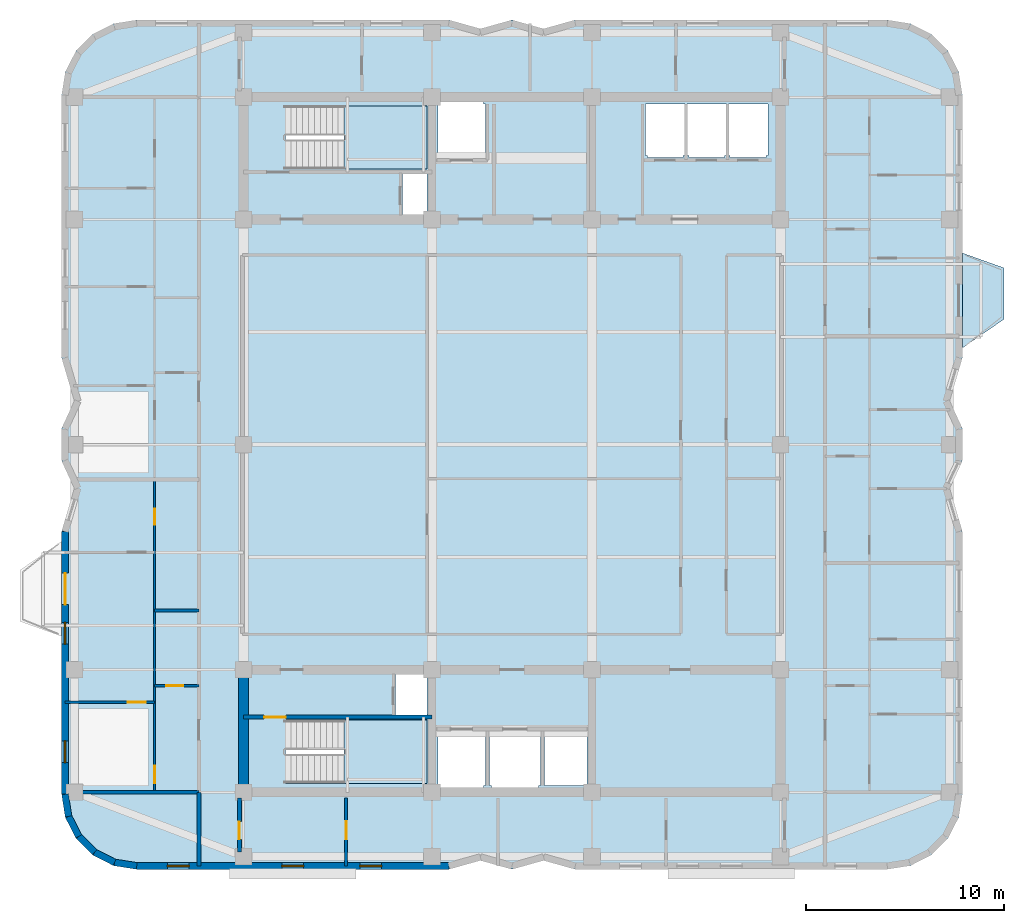
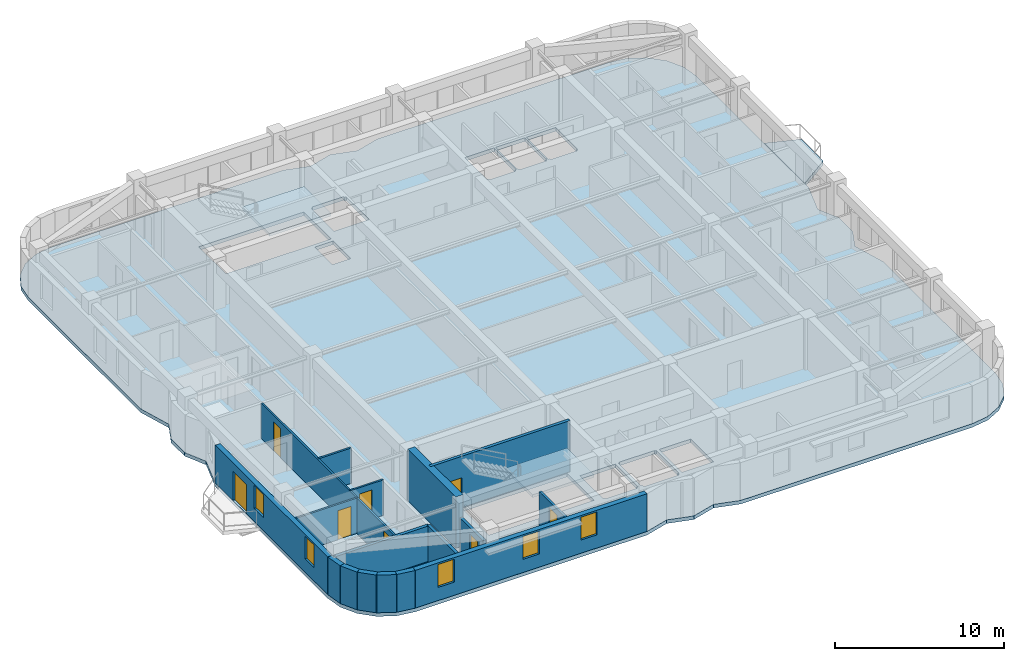
# One storey, part 2 of 9: 17 walls, 8 doors, 5 windows, 4 slabs, 13 openings, 2 elements without a shape of their own.
"""IFC4 building model written with IfcOpenShell, lengths in metres."""

import ifcopenshell
import ifcopenshell.guid

model = None  # the IFC model being written
_history = None  # IfcOwnerHistory: only IFC2X3 demands one
_inside = {}  # id of a spatial element -> (the spatial element, [elements in it])
_under = {}  # id of a project, library or spatial element -> (it, [spatial elements below it])
_declared = {}  # id of a project -> (the project, [libraries it declares])
_typed = {}  # id of a type object -> (the type object, [elements of that type])
_made_of = {}  # id of a material, layer set ... -> (it, [elements and type objects made of it])


def new_model(schema):
    """Start an empty IFC model of exactly this schema.

    Asked for "IFC4X3", IfcOpenShell would pick the latest addendum, in which some entities
    have other attributes; the version numbers below select the first issue.
    IFC2X3 requires an IfcOwnerHistory on every rooted entity: one is made here for all.
    """
    global model, _history
    if schema == "IFC4X3":
        model = ifcopenshell.file(schema_version=(4, 3, 0, 0))
    else:
        model = ifcopenshell.file(schema=schema)
    _inside.clear()
    _under.clear()
    _declared.clear()
    _typed.clear()
    _made_of.clear()
    _history = None
    if model.schema == "IFC2X3":
        org = make("IfcOrganization", Name="unknown")
        user = make(
            "IfcPersonAndOrganization",
            ThePerson=make("IfcPerson", FamilyName="unknown"),
            TheOrganization=org,
        )
        app = make(
            "IfcApplication",
            ApplicationDeveloper=org,
            Version="unknown",
            ApplicationFullName="unknown",
            ApplicationIdentifier="unknown",
        )
        _history = make(
            "IfcOwnerHistory",
            OwningUser=user,
            OwningApplication=app,
            ChangeAction="ADDED",
            CreationDate=0,
        )
    return model


def make(cls, **values):
    """One entity of the class cls with the attributes given. An attribute that is None is left unset."""
    return model.create_entity(
        cls, **{name: value for name, value in values.items() if value is not None}
    )


def rooted(cls, **values):
    """An entity with a GlobalId (a new one), such as an element, a storey or a relation."""
    return make(cls, GlobalId=ifcopenshell.guid.new(), OwnerHistory=_history, **values)


def si_unit(unit_type, name, prefix=None):
    """IfcSIUnit, for example si_unit("LENGTHUNIT", "METRE", prefix="MILLI")."""
    return make("IfcSIUnit", UnitType=unit_type, Prefix=prefix, Name=name)


def assignment(units):
    """IfcUnitAssignment: the units of a project."""
    return None if units is None else make("IfcUnitAssignment", Units=units)


def point(xyz):
    """IfcCartesianPoint."""
    return None if xyz is None else make("IfcCartesianPoint", Coordinates=xyz)


def direction(xyz):
    """IfcDirection."""
    return None if xyz is None else make("IfcDirection", DirectionRatios=xyz)


def frame(location, z_axis=None, x_axis=None):
    """IfcAxis2Placement3D, a coordinate frame: its origin and axes. An axis left out is left unset."""
    return make(
        "IfcAxis2Placement3D",
        Location=point(location),
        Axis=direction(z_axis),
        RefDirection=direction(x_axis),
    )


def frame_2d(location, x_axis=None):
    """IfcAxis2Placement2D, a coordinate frame in the plane: its origin and x axis."""
    return make(
        "IfcAxis2Placement2D", Location=point(location), RefDirection=direction(x_axis)
    )


def origin():
    """The frame at (0, 0, 0) with its axes left unset."""
    return frame((0.0, 0.0, 0.0))


def place(relative_to, where):
    """IfcLocalPlacement: puts the frame where relative to a parent placement (None: the world)."""
    return make(
        "IfcLocalPlacement", PlacementRelTo=relative_to, RelativePlacement=where
    )


def context(
    kind, dimensions, precision=None, world=None, true_north=None, identifier=None
):
    """IfcGeometricRepresentationContext, for example the 3D "Model" context."""
    return make(
        "IfcGeometricRepresentationContext",
        ContextIdentifier=identifier,
        ContextType=kind,
        CoordinateSpaceDimension=dimensions,
        Precision=precision,
        WorldCoordinateSystem=world,
        TrueNorth=true_north,
    )


def subcontext(parent, identifier, kind, view, scale=None):
    """IfcGeometricRepresentationSubContext, for example "Body" below "Model"."""
    return make(
        "IfcGeometricRepresentationSubContext",
        ContextIdentifier=identifier,
        ContextType=kind,
        ParentContext=parent,
        TargetScale=scale,
        TargetView=view,
    )


def project(units=None, contexts=None):
    """IfcProject with its units and contexts."""
    return rooted(
        "IfcProject",
        Name="project",
        RepresentationContexts=contexts,
        UnitsInContext=assignment(units),
    )


def spatial(cls, under=None, at=None, **own):
    """A site, building, storey or space (cls), placed at a placement, below another one or the project."""
    s = rooted(cls, ObjectPlacement=at, **own)
    if under is not None:
        _under.setdefault(under.id(), (under, []))[1].append(s)
    return s


def polyline(points):
    """IfcPolyline through the points."""
    return make("IfcPolyline", Points=[point(p) for p in points])


def profile(cls, at=None, kind="AREA", **sizes):
    """A parametric profile (cls). Its sizes go by their IFC names, for example OverallWidth=200.0."""
    return make(cls, ProfileType=kind, Position=at, **sizes)


def rectangle(**sizes):
    """IfcRectangleProfileDef."""
    return profile("IfcRectangleProfileDef", **sizes)


def outline(outer, holes=None, kind="AREA"):
    """IfcArbitraryClosedProfileDef: a profile drawn as a closed curve; with holes, ...WithVoids."""
    if holes is None:
        return make("IfcArbitraryClosedProfileDef", ProfileType=kind, OuterCurve=outer)
    return make(
        "IfcArbitraryProfileDefWithVoids",
        ProfileType=kind,
        OuterCurve=outer,
        InnerCurves=holes,
    )


def extrude(swept, where, along, depth):
    """IfcExtrudedAreaSolid: the profile swept, set in the frame where, extruded along a direction by depth."""
    return make(
        "IfcExtrudedAreaSolid",
        SweptArea=swept,
        Position=where,
        ExtrudedDirection=direction(along),
        Depth=depth,
    )


def shape(context_of_items, identifier, shape_type, items):
    """IfcShapeRepresentation: the items that make up one representation, for example the "Body"."""
    return make(
        "IfcShapeRepresentation",
        ContextOfItems=context_of_items,
        RepresentationIdentifier=identifier,
        RepresentationType=shape_type,
        Items=items,
    )


def material(Name=None, Category=None):
    """IfcMaterial."""
    return make("IfcMaterial", Name=Name, Category=Category)


def layer(
    of_material, thickness, ventilated=None, Name=None, Category=None, Priority=None
):
    """IfcMaterialLayer: one layer of a wall or slab, of a material (None: an air gap)."""
    return make(
        "IfcMaterialLayer",
        Material=of_material,
        LayerThickness=thickness,
        IsVentilated=ventilated,
        Name=Name,
        Category=Category,
        Priority=Priority,
    )


def layer_set(layers, Name=None):
    """IfcMaterialLayerSet."""
    return make("IfcMaterialLayerSet", MaterialLayers=layers, LayerSetName=Name)


def made_of(thing, what):
    """Note that an element or type object is made of a material, layer set ...; save() writes the relation."""
    if what is not None:
        _made_of.setdefault(what.id(), (what, []))[1].append(thing)
    return thing


def type_object(cls, material=None, **own):
    """A type object (cls), such as IfcWallType, which elements share."""
    return made_of(rooted(cls, **own), material)


def element(
    cls,
    number,
    at=None,
    inside=None,
    cuts=None,
    type_object=None,
    material=None,
    context=None,
    identifier="Body",
    shape_type=None,
    held_by="IfcProductDefinitionShape",
    body=None,
    shapes=None,
    **own,
):
    """One element of the class cls, such as IfcWall. Its Tag is "e" and its number.

    at: its placement. inside: the storey or other place that contains it. cuts: it is an
    opening in that element (IfcRelVoidsElement). A single representation is given by context,
    identifier, shape_type and body (its items); several are given by shapes. held_by: the class
    of the entity that holds the representations. save() writes the other relations.
    """
    e = rooted(cls, Tag="e%d" % number, ObjectPlacement=at, **own)
    if body is not None:
        shapes = [shape(context, identifier, shape_type, body)]
    if shapes is not None:
        e.Representation = make(held_by, Representations=shapes)
    if inside is not None:
        _inside.setdefault(inside.id(), (inside, []))[1].append(e)
    if cuts is not None:
        rooted(
            "IfcRelVoidsElement", RelatingBuildingElement=cuts, RelatedOpeningElement=e
        )
    if type_object is not None:
        _typed.setdefault(type_object.id(), (type_object, []))[1].append(e)
    return made_of(e, material)


def fill(opening, filler):
    """IfcRelFillsElement: the door or window that sits in an opening."""
    return rooted(
        "IfcRelFillsElement",
        RelatingOpeningElement=opening,
        RelatedBuildingElement=filler,
    )


def aggregate(whole, parts):
    """IfcRelAggregates: a whole, such as a stair, and the parts it consists of."""
    return rooted("IfcRelAggregates", RelatingObject=whole, RelatedObjects=parts)


def save(model, path):
    """Write the relations noted so far, then the file.

    IfcRelAggregates (storeys below a building ...), IfcRelContainedInSpatialStructure (elements
    in a storey), IfcRelDefinesByType, IfcRelAssociatesMaterial and IfcRelDeclares: one each for
    every whole, place, type object, material and project.
    """
    for whole, parts in _under.values():
        aggregate(whole, parts)
    for where, things in _inside.values():
        rooted(
            "IfcRelContainedInSpatialStructure",
            RelatedElements=things,
            RelatingStructure=where,
        )
    for kind, things in _typed.values():
        rooted("IfcRelDefinesByType", RelatedObjects=things, RelatingType=kind)
    for what, things in _made_of.values():
        rooted("IfcRelAssociatesMaterial", RelatedObjects=things, RelatingMaterial=what)
    for by, libraries in _declared.values():
        rooted("IfcRelDeclares", RelatingContext=by, RelatedDefinitions=libraries)
    model.write(path)


model = new_model("IFC4")

# Units and contexts
model_context = context("Model", 3, precision=1e-05, world=origin(), true_north=direction((0.0, 1.0)))
body_context = subcontext(model_context, "Body", "Model", "MODEL_VIEW")
ifc_project = project(units=[si_unit("LENGTHUNIT", "METRE"), si_unit("AREAUNIT", "SQUARE_METRE"), si_unit("VOLUMEUNIT", "CUBIC_METRE"), si_unit("PLANEANGLEUNIT", "RADIAN"), si_unit("MASSUNIT", "GRAM", prefix="KILO")], contexts=[model_context])

# Site, building, storey
site_placement = place(None, origin())
site = spatial("IfcSite", under=ifc_project, at=site_placement, CompositionType="ELEMENT")
building_placement = place(site_placement, origin())
building = spatial("IfcBuilding", under=site, at=building_placement, Name="Svetorya Sky Lyceum", CompositionType="ELEMENT")
storey_placement = place(building_placement, frame((0.0, 0.0, 214.699951171875)))
storey = spatial("IfcBuildingStorey", under=building, at=storey_placement, Name="L53", CompositionType="ELEMENT", Elevation=214.699951171875)

# Slab
ifc_material_1 = material(Name="Concrete C40/50", Category="concrete")
ifc_layer_1 = layer(ifc_material_1, 0.260009765625)
ifc_layer_set_1 = layer_set([ifc_layer_1], Name="Concrete C40/50")
slab_type_1 = type_object("IfcSlabType", Name="SL-BAL-260", PredefinedType="FLOOR", material=ifc_layer_set_1)
slab_1_placement = place(storey_placement, frame((0.0, 0.0, -0.260009765625)))
element("IfcSlab", 1, at=slab_1_placement, inside=storey, type_object=slab_type_1, Name="L53 Chamfered Loggia Balcony BAL-E1", PredefinedType="FLOOR", context=body_context, shape_type="SweptSolid", body=[
    extrude(outline(polyline([(62.010009765625, 33.10009765625), (64.110107421875, 34.550048828125), (64.110107421875, 37.14990234375), (62.010009765625, 37.89990234375), (62.010009765625, 33.10009765625)])), origin(), (0.0, 0.0, 1.0), 0.260009765625),
])

# Stair, slab
stair_type_1 = type_object("IfcStairType", Name="STR-ST-S", PredefinedType="HALF_TURN_STAIR", material=ifc_material_1)
stair_1_placement = place(storey_placement, origin())
stair_1 = element("IfcStair", 2, at=stair_1_placement, inside=storey, type_object=stair_type_1, Name="L53 South Core Smoke-Free Exit Stair N2", PredefinedType="HALF_TURN_STAIR")
ifc_layer_2 = layer(ifc_material_1, 0.199951171875)
ifc_layer_set_2 = layer_set([ifc_layer_2], Name="Concrete C40/50")
slab_type_2 = type_object("IfcSlabType", Name="SL-STR-LAND-200", PredefinedType="LANDING", material=ifc_layer_set_2)
slab_2_placement = place(storey_placement, frame((0.0, 0.0, 1.650146484375)))
slab_2 = element("IfcSlab", 3, at=slab_2_placement, type_object=slab_type_2, Name="ST-S landing 1", PredefinedType="LANDING", context=body_context, shape_type="SweptSolid", body=[
    extrude(outline(polyline([(30.699951171875, 11.050048828125), (34.89990234375, 11.050048828125), (34.89990234375, 14.25), (30.699951171875, 14.25), (30.699951171875, 11.050048828125)])), origin(), (0.0, 0.0, 1.0), 0.199951171875),
])
aggregate(stair_1, [slab_2])

stair_type_2 = type_object("IfcStairType", Name="STR-ST-N", PredefinedType="HALF_TURN_STAIR", material=ifc_material_1)
stair_2_placement = place(storey_placement, origin())
stair_2 = element("IfcStair", 4, at=stair_2_placement, inside=storey, type_object=stair_type_2, Name="L53 North Core Smoke-Free Exit Stair N3", PredefinedType="HALF_TURN_STAIR")
slab_3_placement = place(storey_placement, frame((0.0, 0.0, 1.650146484375)))
slab_3 = element("IfcSlab", 5, at=slab_3_placement, type_object=slab_type_2, Name="ST-N landing 1", PredefinedType="LANDING", context=body_context, shape_type="SweptSolid", body=[
    extrude(outline(polyline([(30.699951171875, 42.14990234375), (34.89990234375, 42.14990234375), (34.89990234375, 45.35009765625), (30.699951171875, 45.35009765625), (30.699951171875, 42.14990234375)])), origin(), (0.0, 0.0, 1.0), 0.199951171875),
])
aggregate(stair_2, [slab_3])

# Slab
ifc_material_2 = material(Name="Concrete C50/60", Category="concrete")
ifc_layer_3 = layer(ifc_material_2, 0.260009765625)
ifc_layer_set_3 = layer_set([ifc_layer_3], Name="Concrete C50/60")
slab_type_3 = type_object("IfcSlabType", Name="SL-TWR-260", PredefinedType="FLOOR", material=ifc_layer_set_3)
slab_4_placement = place(storey_placement, frame((0.0, 0.0, -0.260009765625)))
element("IfcSlab", 6, at=slab_4_placement, inside=storey, type_object=slab_type_3, Name="L53 Structural Floor Slab", PredefinedType="FLOOR", context=body_context, shape_type="SweptSolid", body=[
    extrude(outline(polyline([(16.39990234375, 10.5), (16.5859375, 9.32568359375), (17.125732421875, 8.266357421875), (17.96630859375, 7.42578125), (19.025634765625, 6.885986328125), (20.199951171875, 6.699951171875), (36.0, 6.699951171875), (37.60009765625, 7.14990234375), (39.199951171875, 6.699951171875), (40.800048828125, 7.14990234375), (42.39990234375, 6.699951171875), (58.199951171875, 6.699951171875), (59.374267578125, 6.885986328125), (60.43359375, 7.42578125), (61.2744140625, 8.266357421875), (61.81396484375, 9.32568359375), (62.0, 10.5), (62.0, 23.800048828125), (61.35009765625, 26.0), (62.0, 27.39990234375), (62.0, 29.0), (61.35009765625, 30.39990234375), (62.0, 32.60009765625), (62.0, 45.89990234375), (61.81396484375, 47.07421875), (61.2744140625, 48.133544921875), (60.43359375, 48.974365234375), (59.374267578125, 49.513916015625), (58.199951171875, 49.699951171875), (42.39990234375, 49.699951171875), (40.800048828125, 49.25), (39.199951171875, 49.699951171875), (37.60009765625, 49.25), (36.0, 49.699951171875), (20.199951171875, 49.699951171875), (19.025634765625, 49.513916015625), (17.96630859375, 48.974365234375), (17.125732421875, 48.133544921875), (16.5859375, 47.07421875), (16.39990234375, 45.89990234375), (16.39990234375, 32.60009765625), (17.050048828125, 30.39990234375), (16.39990234375, 29.0), (16.39990234375, 27.39990234375), (17.050048828125, 26.0), (16.39990234375, 23.800048828125), (16.39990234375, 10.5)]), holes=[polyline([(37.85009765625, 10.949951171875), (37.75, 10.949951171875), (37.75, 10.85009765625), (35.550048828125, 10.85009765625), (35.550048828125, 10.949951171875), (35.449951171875, 10.949951171875), (35.449951171875, 13.64990234375), (35.550048828125, 13.64990234375), (37.75, 13.64990234375), (37.85009765625, 13.64990234375), (37.85009765625, 10.949951171875)]), polyline([(38.14990234375, 10.800048828125), (38.14990234375, 10.949951171875), (38.050048828125, 10.949951171875), (38.050048828125, 13.64990234375), (38.14990234375, 13.64990234375), (38.14990234375, 13.699951171875), (40.550048828125, 13.699951171875), (40.550048828125, 13.64990234375), (40.64990234375, 13.64990234375), (40.64990234375, 10.949951171875), (40.550048828125, 10.949951171875), (40.550048828125, 10.800048828125), (38.14990234375, 10.800048828125)]), polyline([(27.719970703125, 11.050048828125), (27.719970703125, 14.25), (34.89990234375, 14.25), (34.89990234375, 11.050048828125), (27.719970703125, 11.050048828125)]), polyline([(33.300048828125, 14.52001953125), (33.300048828125, 16.580078125), (34.89990234375, 16.580078125), (34.89990234375, 14.52001953125), (33.300048828125, 14.52001953125)]), polyline([(33.64990234375, 39.820068359375), (33.64990234375, 41.89990234375), (34.89990234375, 41.89990234375), (34.89990234375, 39.820068359375), (33.64990234375, 39.820068359375)]), polyline([(27.719970703125, 42.14990234375), (27.719970703125, 45.35009765625), (34.89990234375, 45.35009765625), (34.89990234375, 42.14990234375), (27.719970703125, 42.14990234375)]), polyline([(37.75, 42.75), (35.550048828125, 42.75), (35.449951171875, 42.75), (35.449951171875, 45.449951171875), (35.550048828125, 45.449951171875), (35.550048828125, 45.550048828125), (37.75, 45.550048828125), (37.75, 45.449951171875), (37.85009765625, 45.449951171875), (37.85009765625, 42.75), (37.75, 42.75)]), polyline([(40.85009765625, 10.949951171875), (40.85009765625, 13.64990234375), (43.0, 13.64990234375), (43.0, 10.949951171875), (40.85009765625, 10.949951171875)]), polyline([(46.050048828125, 42.75), (46.050048828125, 42.85009765625), (45.949951171875, 42.85009765625), (45.949951171875, 45.449951171875), (46.050048828125, 45.449951171875), (47.85009765625, 45.449951171875), (47.949951171875, 45.449951171875), (47.949951171875, 42.85009765625), (47.85009765625, 42.85009765625), (47.85009765625, 42.75), (46.050048828125, 42.75)]), polyline([(50.050048828125, 42.85009765625), (49.949951171875, 42.85009765625), (49.949951171875, 42.75), (48.14990234375, 42.75), (48.14990234375, 42.85009765625), (48.050048828125, 42.85009765625), (48.050048828125, 45.449951171875), (48.14990234375, 45.449951171875), (49.949951171875, 45.449951171875), (50.050048828125, 45.449951171875), (50.050048828125, 42.85009765625)]), polyline([(52.14990234375, 42.85009765625), (52.050048828125, 42.85009765625), (52.050048828125, 42.75), (50.25, 42.75), (50.25, 42.85009765625), (50.14990234375, 42.85009765625), (50.14990234375, 45.449951171875), (50.25, 45.449951171875), (52.050048828125, 45.449951171875), (52.14990234375, 45.449951171875), (52.14990234375, 42.85009765625)])]), origin(), (0.0, 0.0, 1.0), 0.260009765625),
])

# Walls
ifc_layer_4 = layer(ifc_material_2, 0.5)
ifc_layer_set_4 = layer_set([ifc_layer_4], Name="Concrete C50/60")
wall_type_1 = type_object("IfcWallType", Name="WL-CORE-500", PredefinedType="SHEAR", material=ifc_layer_set_4)
wall_1_placement = place(storey_placement, frame((25.60009765625, 10.85009765625, 0.0), z_axis=(0.0, 0.0, 1.0), x_axis=(0.0, 1.0, 0.0)))
element("IfcWall", 7, at=wall_1_placement, inside=storey, type_object=wall_type_1, Name="L53 SC West Core Shear Wall", PredefinedType="SHEAR", context=body_context, shape_type="SweptSolid", body=[
    extrude(rectangle(XDim=5.699951171875, YDim=0.5, at=frame_2d((2.85009765625, 0.0))), origin(), (0.0, 0.0, 1.0), 3.699951171875),
])
ifc_material_3 = material(Name="Putilovo limestone rainscreen on autoclaved cellular masonry", Category="masonry")
ifc_layer_5 = layer(ifc_material_3, 0.340087890625)
ifc_layer_set_5 = layer_set([ifc_layer_5], Name="Putilovo limestone rainscreen on autoclaved cellular masonry")
wall_type_2 = type_object("IfcWallType", Name="WL-EXT-340", PredefinedType="SOLIDWALL", material=ifc_layer_set_5)
wall_2_placement = place(storey_placement, frame((16.570068359375, 10.5, 0.0), z_axis=(0.0, 0.0, 1.0), x_axis=(0.156514556949, -0.987675651954, 0.0)))
element("IfcWall", 8, at=wall_2_placement, inside=storey, type_object=wall_type_2, Name="L53 Limestone Exterior Wall 1M", PredefinedType="SOLIDWALL", context=body_context, shape_type="SweptSolid", body=[
    extrude(rectangle(XDim=1.135498046875, YDim=0.340087890625, at=frame_2d((0.56787109375, 0.0))), origin(), (0.0, 0.0, 1.0), 2.719970703125),
])
for number, where, z_axis, x_axis, name in (
    (9, (16.747802734375, 9.37841796875, 0.0), (0.0, 0.0, 1.0), (0.45373580117, -0.891136253744, 0.0), "L53 Limestone Exterior Wall 2M"),
    (10, (17.26318359375, 8.3662109375, 0.0), (0.0, 0.0, 1.0), (0.707214252388, -0.706999293649, 0.0), "L53 Limestone Exterior Wall 3M"),
    (11, (18.06640625, 7.563232421875, 0.0), (0.0, 0.0, 1.0), (0.891005044957, -0.453993402883, 0.0), "L53 Limestone Exterior Wall 4M"),
):
    element("IfcWall", number, at=place(storey_placement, frame(where, z_axis=z_axis, x_axis=x_axis)), inside=storey, type_object=wall_type_2, Name=name, PredefinedType="SOLIDWALL", context=body_context, shape_type="SweptSolid", body=[
        extrude(rectangle(XDim=1.1357421875, YDim=0.340087890625, at=frame_2d((0.56787109375, 0.0))), origin(), (0.0, 0.0, 1.0), 2.719970703125),
    ])
wall_3_placement = place(storey_placement, frame((19.078369140625, 7.047607421875, 0.0), z_axis=(0.0, 0.0, 1.0), x_axis=(0.987708865555, -0.156304820474, 0.0)))
element("IfcWall", 12, at=wall_3_placement, inside=storey, type_object=wall_type_2, Name="L53 Limestone Exterior Wall 5M", PredefinedType="SOLIDWALL", context=body_context, shape_type="SweptSolid", body=[
    extrude(rectangle(XDim=1.135498046875, YDim=0.340087890625, at=frame_2d((0.56787109375, 0.0))), origin(), (0.0, 0.0, 1.0), 2.719970703125),
])

# Wall, openings, windows
wall_4_placement = place(storey_placement, frame((20.199951171875, 6.8701171875, 0.0), z_axis=(0.0, 0.0, 1.0), x_axis=(1.0, 0.0, 0.0)))
wall_4 = element("IfcWall", 13, at=wall_4_placement, inside=storey, type_object=wall_type_2, Name="L53 Limestone Exterior Wall 6M", PredefinedType="SOLIDWALL", context=body_context, shape_type="SweptSolid", body=[
    extrude(rectangle(XDim=15.800048828125, YDim=0.340087890625, at=frame_2d((7.89990234375, 0.0))), origin(), (0.0, 0.0, 1.0), 2.719970703125),
])
opening_1_placement = place(wall_4_placement, frame((1.550048828125, 0.0, 0.949951171875)))
opening_1 = element("IfcOpeningElement", 14, at=opening_1_placement, cuts=wall_4, Name="Opening W-R3", PredefinedType="OPENING", context=body_context, shape_type="SweptSolid", body=[
    extrude(rectangle(XDim=1.10009765625, YDim=1.64990234375, at=frame_2d((0.550048828125, 0.824951171875))), frame((0.0, 0.179931640625, 0.0), z_axis=(0.0, -1.0, 0.0), x_axis=(1.0, 0.0, 0.0)), (0.0, 0.0, 1.0), 0.360107421875),
])
opening_2_placement = place(wall_4_placement, frame((7.35009765625, 0.0, 0.949951171875)))
opening_2 = element("IfcOpeningElement", 15, at=opening_2_placement, cuts=wall_4, Name="Opening W-R3", PredefinedType="OPENING", context=body_context, shape_type="SweptSolid", body=[
    extrude(rectangle(XDim=1.10009765625, YDim=1.64990234375, at=frame_2d((0.550048828125, 0.824951171875))), frame((0.0, 0.179931640625, 0.0), z_axis=(0.0, -1.0, 0.0), x_axis=(1.0, 0.0, 0.0)), (0.0, 0.0, 1.0), 0.360107421875),
])
opening_3_placement = place(wall_4_placement, frame((11.300048828125, 0.0, 0.949951171875)))
opening_3 = element("IfcOpeningElement", 16, at=opening_3_placement, cuts=wall_4, Name="Opening W-R3", PredefinedType="OPENING", context=body_context, shape_type="SweptSolid", body=[
    extrude(rectangle(XDim=1.10009765625, YDim=1.64990234375, at=frame_2d((0.550048828125, 0.824951171875))), frame((0.0, 0.179931640625, 0.0), z_axis=(0.0, -1.0, 0.0), x_axis=(1.0, 0.0, 0.0)), (0.0, 0.0, 1.0), 0.360107421875),
])
ifc_material_4 = material(Name="Thermally broken aluminium frame with triple low-E glazing", Category="aluminium")
window_type = type_object("IfcWindowType", Name="WN-RES-110", PartitioningType="SINGLE_PANEL", PredefinedType="WINDOW", material=ifc_material_4)
window_1_placement = place(opening_1_placement, origin())
window_1 = element("IfcWindow", 17, at=window_1_placement, inside=storey, type_object=window_type, Name="L53 Facade Window W-R3.6M.1", OverallHeight=1.64990234375, OverallWidth=1.10009765625, PartitioningType="SINGLE_PANEL", PredefinedType="WINDOW", context=body_context, shape_type="SweptSolid", body=[
    extrude(rectangle(XDim=1.10009765625, YDim=1.64990234375, at=frame_2d((0.550048828125, 0.824951171875))), frame((0.0, 0.030029296875, 0.0), z_axis=(0.0, -1.0, 0.0), x_axis=(1.0, 0.0, 0.0)), (0.0, 0.0, 1.0), 0.06005859375),
])
fill(opening_1, window_1)
window_2_placement = place(opening_2_placement, origin())
window_2 = element("IfcWindow", 18, at=window_2_placement, inside=storey, type_object=window_type, Name="L53 Facade Window W-R3.6M.2", OverallHeight=1.64990234375, OverallWidth=1.10009765625, PartitioningType="SINGLE_PANEL", PredefinedType="WINDOW", context=body_context, shape_type="SweptSolid", body=[
    extrude(rectangle(XDim=1.10009765625, YDim=1.64990234375, at=frame_2d((0.550048828125, 0.824951171875))), frame((0.0, 0.030029296875, 0.0), z_axis=(0.0, -1.0, 0.0), x_axis=(1.0, 0.0, 0.0)), (0.0, 0.0, 1.0), 0.06005859375),
])
fill(opening_2, window_2)
window_3_placement = place(opening_3_placement, origin())
window_3 = element("IfcWindow", 19, at=window_3_placement, inside=storey, type_object=window_type, Name="L53 Facade Window W-R3.6M.3", OverallHeight=1.64990234375, OverallWidth=1.10009765625, PartitioningType="SINGLE_PANEL", PredefinedType="WINDOW", context=body_context, shape_type="SweptSolid", body=[
    extrude(rectangle(XDim=1.10009765625, YDim=1.64990234375, at=frame_2d((0.550048828125, 0.824951171875))), frame((0.0, 0.030029296875, 0.0), z_axis=(0.0, -1.0, 0.0), x_axis=(1.0, 0.0, 0.0)), (0.0, 0.0, 1.0), 0.06005859375),
])
fill(opening_3, window_3)

# Wall, openings, door, windows
wall_5_placement = place(storey_placement, frame((16.570068359375, 23.800048828125, 0.0), z_axis=(0.0, 0.0, 1.0), x_axis=(0.0, -1.0, 0.0)))
wall_5 = element("IfcWall", 20, at=wall_5_placement, inside=storey, type_object=wall_type_2, Name="L53 Limestone Exterior Wall 46M", PredefinedType="SOLIDWALL", context=body_context, shape_type="SweptSolid", body=[
    extrude(rectangle(XDim=13.300048828125, YDim=0.340087890625, at=frame_2d((6.64990234375, 0.0))), origin(), (0.0, 0.0, 1.0), 2.719970703125),
])
opening_4_placement = place(wall_5_placement, frame((2.10009765625, 0.0, 0.0)))
opening_4 = element("IfcOpeningElement", 21, at=opening_4_placement, cuts=wall_5, Name="Opening D-BL1", PredefinedType="OPENING", context=body_context, shape_type="SweptSolid", body=[
    extrude(rectangle(XDim=1.60009765625, YDim=2.10009765625, at=frame_2d((0.800048828125, 1.050048828125))), frame((0.0, 0.179931640625, 0.0), z_axis=(0.0, -1.0, 0.0), x_axis=(1.0, 0.0, 0.0)), (0.0, 0.0, 1.0), 0.360107421875),
])
opening_5_placement = place(wall_5_placement, frame((4.60009765625, 0.0, 0.949951171875)))
opening_5 = element("IfcOpeningElement", 22, at=opening_5_placement, cuts=wall_5, Name="Opening W-R3", PredefinedType="OPENING", context=body_context, shape_type="SweptSolid", body=[
    extrude(rectangle(XDim=1.10009765625, YDim=1.64990234375, at=frame_2d((0.550048828125, 0.824951171875))), frame((0.0, 0.179931640625, 0.0), z_axis=(0.0, -1.0, 0.0), x_axis=(1.0, 0.0, 0.0)), (0.0, 0.0, 1.0), 0.360107421875),
])
opening_6_placement = place(wall_5_placement, frame((10.60009765625, 0.0, 0.949951171875)))
opening_6 = element("IfcOpeningElement", 23, at=opening_6_placement, cuts=wall_5, Name="Opening W-R3", PredefinedType="OPENING", context=body_context, shape_type="SweptSolid", body=[
    extrude(rectangle(XDim=1.10009765625, YDim=1.64990234375, at=frame_2d((0.550048828125, 0.824951171875))), frame((0.0, 0.179931640625, 0.0), z_axis=(0.0, -1.0, 0.0), x_axis=(1.0, 0.0, 0.0)), (0.0, 0.0, 1.0), 0.360107421875),
])
ifc_material_5 = material(Name="Insulated glazed aluminium balcony door", Category="aluminium")
door_type_1 = type_object("IfcDoorType", Name="DR-BAL-1600", OperationType="DOUBLE_DOOR_SINGLE_SWING", PredefinedType="DOOR", material=ifc_material_5)
door_1_placement = place(opening_4_placement, origin())
door_1 = element("IfcDoor", 24, at=door_1_placement, inside=storey, type_object=door_type_1, Name="L53 Balcony BAL-W1 Door", OperationType="DOUBLE_DOOR_SINGLE_SWING", OverallHeight=2.10009765625, OverallWidth=1.60009765625, PredefinedType="DOOR", context=body_context, shape_type="SweptSolid", body=[
    extrude(rectangle(XDim=1.60009765625, YDim=2.10009765625, at=frame_2d((0.800048828125, 1.050048828125))), frame((0.0, 0.02490234375, 0.0), z_axis=(0.0, -1.0, 0.0), x_axis=(1.0, 0.0, 0.0)), (0.0, 0.0, 1.0), 0.050048828125),
])
fill(opening_4, door_1)
window_4_placement = place(opening_5_placement, origin())
window_4 = element("IfcWindow", 25, at=window_4_placement, inside=storey, type_object=window_type, Name="L53 Facade Window W-R3.46M.1", OverallHeight=1.64990234375, OverallWidth=1.10009765625, PartitioningType="SINGLE_PANEL", PredefinedType="WINDOW", context=body_context, shape_type="SweptSolid", body=[
    extrude(rectangle(XDim=1.10009765625, YDim=1.64990234375, at=frame_2d((0.550048828125, 0.824951171875))), frame((0.0, 0.030029296875, 0.0), z_axis=(0.0, -1.0, 0.0), x_axis=(1.0, 0.0, 0.0)), (0.0, 0.0, 1.0), 0.06005859375),
])
fill(opening_5, window_4)
window_5_placement = place(opening_6_placement, origin())
window_5 = element("IfcWindow", 26, at=window_5_placement, inside=storey, type_object=window_type, Name="L53 Facade Window W-R3.46M.2", OverallHeight=1.64990234375, OverallWidth=1.10009765625, PartitioningType="SINGLE_PANEL", PredefinedType="WINDOW", context=body_context, shape_type="SweptSolid", body=[
    extrude(rectangle(XDim=1.10009765625, YDim=1.64990234375, at=frame_2d((0.550048828125, 0.824951171875))), frame((0.0, 0.030029296875, 0.0), z_axis=(0.0, -1.0, 0.0), x_axis=(1.0, 0.0, 0.0)), (0.0, 0.0, 1.0), 0.06005859375),
])
fill(opening_6, window_5)

# Wall, opening, door
ifc_material_6 = material(Name="Twin-stud galvanized framing with double fireboard", Category="gypsum")
ifc_layer_6 = layer(ifc_material_6, 0.1201171875)
ifc_layer_set_6 = layer_set([ifc_layer_6], Name="Twin-stud galvanized framing with double fireboard")
wall_type_3 = type_object("IfcWallType", Name="WL-PART-120", PredefinedType="PARTITIONING", material=ifc_layer_set_6)
wall_6_placement = place(storey_placement, frame((21.10009765625, 16.0, 0.0), z_axis=(0.0, 0.0, 1.0), x_axis=(1.0, 0.0, 0.0)))
wall_6 = element("IfcWall", 27, at=wall_6_placement, inside=storey, type_object=wall_type_3, Name="L53 Interior Partition W1-WH1", PredefinedType="PARTITIONING", context=body_context, shape_type="SweptSolid", body=[
    extrude(rectangle(XDim=2.25, YDim=0.1201171875, at=frame_2d((1.125, 0.0))), origin(), (0.0, 0.0, 1.0), 2.550048828125),
])
opening_7_placement = place(wall_6_placement, frame((0.60009765625, 0.0, 0.0)))
opening_7 = element("IfcOpeningElement", 28, at=opening_7_placement, cuts=wall_6, Name="Opening D-BT1", PredefinedType="OPENING", context=body_context, shape_type="SweptSolid", body=[
    extrude(rectangle(XDim=0.85009765625, YDim=2.10009765625, at=frame_2d((0.425048828125, 1.050048828125))), frame((0.0, 0.070068359375, 0.0), z_axis=(0.0, -1.0, 0.0), x_axis=(1.0, 0.0, 0.0)), (0.0, 0.0, 1.0), 0.14013671875),
])
ifc_material_7 = material(Name="Moisture-resistant laminate bathroom door")
door_type_2 = type_object("IfcDoorType", Name="DR-WET-850", OperationType="SINGLE_SWING_LEFT", PredefinedType="DOOR", material=ifc_material_7)
door_2_placement = place(opening_7_placement, origin())
door_2 = element("IfcDoor", 29, at=door_2_placement, inside=storey, type_object=door_type_2, Name="Apartment W1 Bathroom Door", OperationType="SINGLE_SWING_LEFT", OverallHeight=2.10009765625, OverallWidth=0.85009765625, PredefinedType="DOOR", context=body_context, shape_type="SweptSolid", body=[
    extrude(rectangle(XDim=0.85009765625, YDim=2.10009765625, at=frame_2d((0.425048828125, 1.050048828125))), frame((0.0, 0.02490234375, 0.0), z_axis=(0.0, -1.0, 0.0), x_axis=(1.0, 0.0, 0.0)), (0.0, 0.0, 1.0), 0.050048828125),
])
fill(opening_7, door_2)

wall_7_placement = place(storey_placement, frame((16.570068359375, 15.14990234375, 0.0), z_axis=(0.0, 0.0, 1.0), x_axis=(1.0, 0.0, 0.0)))
wall_7 = element("IfcWall", 30, at=wall_7_placement, inside=storey, type_object=wall_type_3, Name="L53 Interior Partition W1-WL1", PredefinedType="PARTITIONING", context=body_context, shape_type="SweptSolid", body=[
    extrude(rectangle(XDim=4.530029296875, YDim=0.1201171875, at=frame_2d((2.26513671875, 0.0))), origin(), (0.0, 0.0, 1.0), 2.550048828125),
])
opening_8_placement = place(wall_7_placement, frame((3.179931640625, 0.0, 0.0)))
opening_8 = element("IfcOpeningElement", 31, at=opening_8_placement, cuts=wall_7, Name="Opening D-RM1", PredefinedType="OPENING", context=body_context, shape_type="SweptSolid", body=[
    extrude(rectangle(XDim=0.89990234375, YDim=2.10009765625, at=frame_2d((0.449951171875, 1.050048828125))), frame((0.0, 0.070068359375, 0.0), z_axis=(0.0, -1.0, 0.0), x_axis=(1.0, 0.0, 0.0)), (0.0, 0.0, 1.0), 0.14013671875),
])
ifc_material_8 = material(Name="Lacquered birch veneer internal door")
door_type_3 = type_object("IfcDoorType", Name="DR-INT-900", OperationType="SINGLE_SWING_LEFT", PredefinedType="DOOR", material=ifc_material_8)
door_3_placement = place(opening_8_placement, origin())
door_3 = element("IfcDoor", 32, at=door_3_placement, inside=storey, type_object=door_type_3, Name="Apartment W1 Master Bedroom Door", OperationType="SINGLE_SWING_LEFT", OverallHeight=2.10009765625, OverallWidth=0.89990234375, PredefinedType="DOOR", context=body_context, shape_type="SweptSolid", body=[
    extrude(rectangle(XDim=0.89990234375, YDim=2.10009765625, at=frame_2d((0.449951171875, 1.050048828125))), frame((0.0, 0.02490234375, 0.0), z_axis=(0.0, -1.0, 0.0), x_axis=(1.0, 0.0, 0.0)), (0.0, 0.0, 1.0), 0.050048828125),
])
fill(opening_8, door_3)

# Wall, openings, doors
wall_8_placement = place(storey_placement, frame((21.10009765625, 10.639892578125, 0.0), z_axis=(0.0, 0.0, 1.0), x_axis=(0.0, 1.0, 0.0)))
wall_8 = element("IfcWall", 33, at=wall_8_placement, inside=storey, type_object=wall_type_3, Name="L53 Interior Partition W1-WV", PredefinedType="PARTITIONING", context=body_context, shape_type="SweptSolid", body=[
    extrude(rectangle(XDim=15.760009765625, YDim=0.1201171875, at=frame_2d((7.8798828125, 0.0))), origin(), (0.0, 0.0, 1.0), 2.550048828125),
])
opening_9_placement = place(wall_8_placement, frame((0.409912109375, 0.0, 0.0)))
opening_9 = element("IfcOpeningElement", 34, at=opening_9_placement, cuts=wall_8, Name="Opening D-RM1", PredefinedType="OPENING", context=body_context, shape_type="SweptSolid", body=[
    extrude(rectangle(XDim=0.89990234375, YDim=2.10009765625, at=frame_2d((0.449951171875, 1.050048828125))), frame((0.0, 0.070068359375, 0.0), z_axis=(0.0, -1.0, 0.0), x_axis=(1.0, 0.0, 0.0)), (0.0, 0.0, 1.0), 0.14013671875),
])
opening_10_placement = place(wall_8_placement, frame((13.491943359375, 0.0, 0.0)))
opening_10 = element("IfcOpeningElement", 35, at=opening_10_placement, cuts=wall_8, Name="Opening D-BT2", PredefinedType="OPENING", context=body_context, shape_type="SweptSolid", body=[
    extrude(rectangle(XDim=0.820068359375, YDim=2.080078125, at=frame_2d((0.41015625, 1.0400390625))), frame((0.0, 0.070068359375, 0.0), z_axis=(0.0, -1.0, 0.0), x_axis=(1.0, 0.0, 0.0)), (0.0, 0.0, 1.0), 0.14013671875),
])
door_4_placement = place(opening_9_placement, origin())
door_4 = element("IfcDoor", 36, at=door_4_placement, inside=storey, type_object=door_type_3, Name="Apartment W1 Living Door", OperationType="SINGLE_SWING_RIGHT", OverallHeight=2.10009765625, OverallWidth=0.89990234375, PredefinedType="DOOR", context=body_context, shape_type="SweptSolid", body=[
    extrude(rectangle(XDim=0.89990234375, YDim=2.10009765625, at=frame_2d((0.449951171875, 1.050048828125))), frame((0.0, 0.02490234375, 0.0), z_axis=(0.0, -1.0, 0.0), x_axis=(1.0, 0.0, 0.0)), (0.0, 0.0, 1.0), 0.050048828125),
])
fill(opening_9, door_4)
ifc_material_9 = material(Name="Compact moisture-resistant laminate closet door")
door_type_4 = type_object("IfcDoorType", Name="DR-WET-820", OperationType="SINGLE_SWING_LEFT", PredefinedType="DOOR", material=ifc_material_9)
door_5_placement = place(opening_10_placement, origin())
door_5 = element("IfcDoor", 37, at=door_5_placement, inside=storey, type_object=door_type_4, Name="Apartment W1 Study Door", OperationType="SINGLE_SWING_LEFT", OverallHeight=2.080078125, OverallWidth=0.820068359375, PredefinedType="DOOR", context=body_context, shape_type="SweptSolid", body=[
    extrude(rectangle(XDim=0.820068359375, YDim=2.080078125, at=frame_2d((0.41015625, 1.0400390625))), frame((0.0, 0.02490234375, 0.0), z_axis=(0.0, -1.0, 0.0), x_axis=(1.0, 0.0, 0.0)), (0.0, 0.0, 1.0), 0.050048828125),
])
fill(opening_10, door_5)

# Wall
ifc_material_10 = material(Name="Twin-stud galvanized framing with acoustic board", Category="gypsum")
ifc_layer_7 = layer(ifc_material_10, 0.135009765625)
ifc_layer_set_7 = layer_set([ifc_layer_7], Name="Twin-stud galvanized framing with acoustic board")
wall_type_4 = type_object("IfcWallType", Name="WL-PART-135", PredefinedType="PARTITIONING", material=ifc_layer_set_7)
wall_9_placement = place(storey_placement, frame((21.10009765625, 19.800048828125, 0.0), z_axis=(0.0, 0.0, 1.0), x_axis=(1.0, 0.0, 0.0)))
element("IfcWall", 38, at=wall_9_placement, inside=storey, type_object=wall_type_4, Name="L53 Interior Partition W1-WH2", PredefinedType="PARTITIONING", context=body_context, shape_type="SweptSolid", body=[
    extrude(rectangle(XDim=2.25, YDim=0.135009765625, at=frame_2d((1.125, 0.0))), origin(), (0.0, 0.0, 1.0), 2.550048828125),
])

# Wall, opening, door
ifc_material_11 = material(Name="Autoclaved cellular masonry blockwork with acoustic render", Category="masonry")
ifc_layer_8 = layer(ifc_material_11, 0.14990234375)
ifc_layer_set_8 = layer_set([ifc_layer_8], Name="Autoclaved cellular masonry blockwork with acoustic render")
wall_type_5 = type_object("IfcWallType", Name="WL-PART-150", PredefinedType="PARTITIONING", material=ifc_layer_set_8)
wall_10_placement = place(storey_placement, frame((30.800048828125, 6.8701171875, 0.0), z_axis=(0.0, 0.0, 1.0), x_axis=(0.0, 1.0, 0.0)))
wall_10 = element("IfcWall", 39, at=wall_10_placement, inside=storey, type_object=wall_type_5, Name="L53 Interior Partition S4-D1", PredefinedType="PARTITIONING", context=body_context, shape_type="SweptSolid", body=[
    extrude(rectangle(XDim=3.429931640625, YDim=0.14990234375, at=frame_2d((1.71484375, 0.0))), origin(), (0.0, 0.0, 1.0), 2.550048828125),
])
opening_11_placement = place(wall_10_placement, frame((1.35009765625, 0.0, 0.0)))
opening_11 = element("IfcOpeningElement", 40, at=opening_11_placement, cuts=wall_10, Name="Opening D-RM1", PredefinedType="OPENING", context=body_context, shape_type="SweptSolid", body=[
    extrude(rectangle(XDim=0.89990234375, YDim=2.10009765625, at=frame_2d((0.449951171875, 1.050048828125))), frame((0.0, 0.0849609375, 0.0), z_axis=(0.0, -1.0, 0.0), x_axis=(1.0, 0.0, 0.0)), (0.0, 0.0, 1.0), 0.169921875),
])
door_6_placement = place(opening_11_placement, origin())
door_6 = element("IfcDoor", 41, at=door_6_placement, inside=storey, type_object=door_type_3, Name="L53 South Suite Door 1", OperationType="SINGLE_SWING_LEFT", OverallHeight=2.10009765625, OverallWidth=0.89990234375, PredefinedType="DOOR", context=body_context, shape_type="SweptSolid", body=[
    extrude(rectangle(XDim=0.89990234375, YDim=2.10009765625, at=frame_2d((0.449951171875, 1.050048828125))), frame((0.0, 0.02490234375, 0.0), z_axis=(0.0, -1.0, 0.0), x_axis=(1.0, 0.0, 0.0)), (0.0, 0.0, 1.0), 0.050048828125),
])
fill(opening_11, door_6)

# Walls
ifc_material_12 = material(Name="Autoclaved cellular masonry blockwork with gypsum plaster", Category="masonry")
ifc_layer_9 = layer(ifc_material_12, 0.199951171875)
ifc_layer_set_9 = layer_set([ifc_layer_9], Name="Autoclaved cellular masonry blockwork with gypsum plaster")
wall_type_6 = type_object("IfcWallType", Name="WL-PART-200", PredefinedType="PARTITIONING", material=ifc_layer_set_9)
wall_11_placement = place(storey_placement, frame((16.989990234375, 10.60009765625, 0.0), z_axis=(0.0, 0.0, 1.0), x_axis=(1.0, 0.0, 0.0)))
element("IfcWall", 42, at=wall_11_placement, inside=storey, type_object=wall_type_6, Name="L53 Interior Partition W-CAP-S", PredefinedType="PARTITIONING", context=body_context, shape_type="SweptSolid", body=[
    extrude(rectangle(XDim=6.360107421875, YDim=0.199951171875, at=frame_2d((3.18017578125, 0.0))), origin(), (0.0, 0.0, 1.0), 2.550048828125),
])
wall_12_placement = place(storey_placement, frame((23.35009765625, 6.8701171875, 0.0), z_axis=(0.0, 0.0, 1.0), x_axis=(0.0, 1.0, 0.0)))
element("IfcWall", 43, at=wall_12_placement, inside=storey, type_object=wall_type_6, Name="L53 Interior Partition WC-SW-END", PredefinedType="PARTITIONING", context=body_context, shape_type="SweptSolid", body=[
    extrude(rectangle(XDim=3.72998046875, YDim=0.199951171875, at=frame_2d((1.864990234375, 0.0))), origin(), (0.0, 0.0, 1.0), 2.550048828125),
])

# Wall, opening, door
wall_13_placement = place(storey_placement, frame((25.39990234375, 7.570068359375, 0.0), z_axis=(0.0, 0.0, 1.0), x_axis=(0.0, 1.0, 0.0)))
wall_13 = element("IfcWall", 44, at=wall_13_placement, inside=storey, type_object=wall_type_6, Name="L53 Interior Partition S4-EW", PredefinedType="PARTITIONING", context=body_context, shape_type="SweptSolid", body=[
    extrude(rectangle(XDim=2.72998046875, YDim=0.199951171875, at=frame_2d((1.364990234375, 0.0))), origin(), (0.0, 0.0, 1.0), 2.550048828125),
])
opening_12_placement = place(wall_13_placement, frame((0.64990234375, 0.0, 0.0)))
opening_12 = element("IfcOpeningElement", 45, at=opening_12_placement, cuts=wall_13, Name="Opening D-RM1", PredefinedType="OPENING", context=body_context, shape_type="SweptSolid", body=[
    extrude(rectangle(XDim=0.89990234375, YDim=2.10009765625, at=frame_2d((0.449951171875, 1.050048828125))), frame((0.0, 0.10986328125, 0.0), z_axis=(0.0, -1.0, 0.0), x_axis=(1.0, 0.0, 0.0)), (0.0, 0.0, 1.0), 0.219970703125),
])
door_7_placement = place(opening_12_placement, origin())
door_7 = element("IfcDoor", 46, at=door_7_placement, inside=storey, type_object=door_type_3, Name="L53 SW Office Door", OperationType="SINGLE_SWING_LEFT", OverallHeight=2.10009765625, OverallWidth=0.89990234375, PredefinedType="DOOR", context=body_context, shape_type="SweptSolid", body=[
    extrude(rectangle(XDim=0.89990234375, YDim=2.10009765625, at=frame_2d((0.449951171875, 1.050048828125))), frame((0.0, 0.02490234375, 0.0), z_axis=(0.0, -1.0, 0.0), x_axis=(1.0, 0.0, 0.0)), (0.0, 0.0, 1.0), 0.050048828125),
])
fill(opening_12, door_7)

ifc_layer_10 = layer(ifc_material_2, 0.199951171875)
ifc_layer_set_10 = layer_set([ifc_layer_10], Name="Concrete C50/60")
wall_type_7 = type_object("IfcWallType", Name="WL-SHW-200", PredefinedType="SHEAR", material=ifc_layer_set_10)
wall_14_placement = place(storey_placement, frame((25.60009765625, 14.39990234375, 0.0), z_axis=(0.0, 0.0, 1.0), x_axis=(1.0, 0.0, 0.0)))
wall_14 = element("IfcWall", 47, at=wall_14_placement, inside=storey, type_object=wall_type_7, Name="L53 Structural Stair Shaft Wall SC-STW", PredefinedType="SHEAR", context=body_context, shape_type="SweptSolid", body=[
    extrude(rectangle(XDim=9.5498046875, YDim=0.199951171875, at=frame_2d((4.77490234375, 0.0))), origin(), (0.0, 0.0, 1.0), 3.699951171875),
])
opening_13_placement = place(wall_14_placement, frame((1.050048828125, 0.0, 0.0)))
opening_13 = element("IfcOpeningElement", 48, at=opening_13_placement, cuts=wall_14, Name="Opening D-ST1", PredefinedType="OPENING", context=body_context, shape_type="SweptSolid", body=[
    extrude(rectangle(XDim=1.10009765625, YDim=2.14990234375, at=frame_2d((0.550048828125, 1.074951171875))), frame((0.0, 0.10986328125, 0.0), z_axis=(0.0, -1.0, 0.0), x_axis=(1.0, 0.0, 0.0)), (0.0, 0.0, 1.0), 0.219970703125),
])
ifc_material_13 = material(Name="Powder-coated insulated galvanized stair fire door")
door_type_5 = type_object("IfcDoorType", Name="DR-FIRE-1100", OperationType="SINGLE_SWING_LEFT", PredefinedType="DOOR", material=ifc_material_13)
door_8_placement = place(opening_13_placement, origin())
door_8 = element("IfcDoor", 49, at=door_8_placement, inside=storey, type_object=door_type_5, Name="L53 Stair ST-S Vestibule Fire Door", OperationType="SINGLE_SWING_LEFT", OverallHeight=2.14990234375, OverallWidth=1.10009765625, PredefinedType="DOOR", context=body_context, shape_type="SweptSolid", body=[
    extrude(rectangle(XDim=1.10009765625, YDim=2.14990234375, at=frame_2d((0.550048828125, 1.074951171875))), frame((0.0, 0.02490234375, 0.0), z_axis=(0.0, -1.0, 0.0), x_axis=(1.0, 0.0, 0.0)), (0.0, 0.0, 1.0), 0.050048828125),
])
fill(opening_13, door_8)

save(model, "model.ifc")
